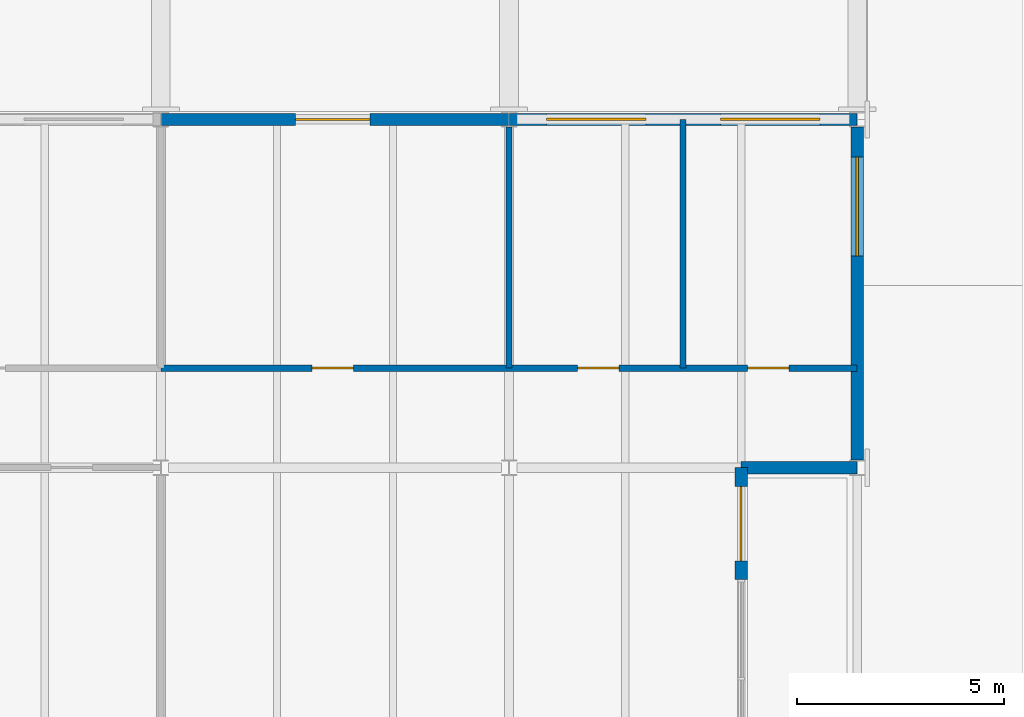
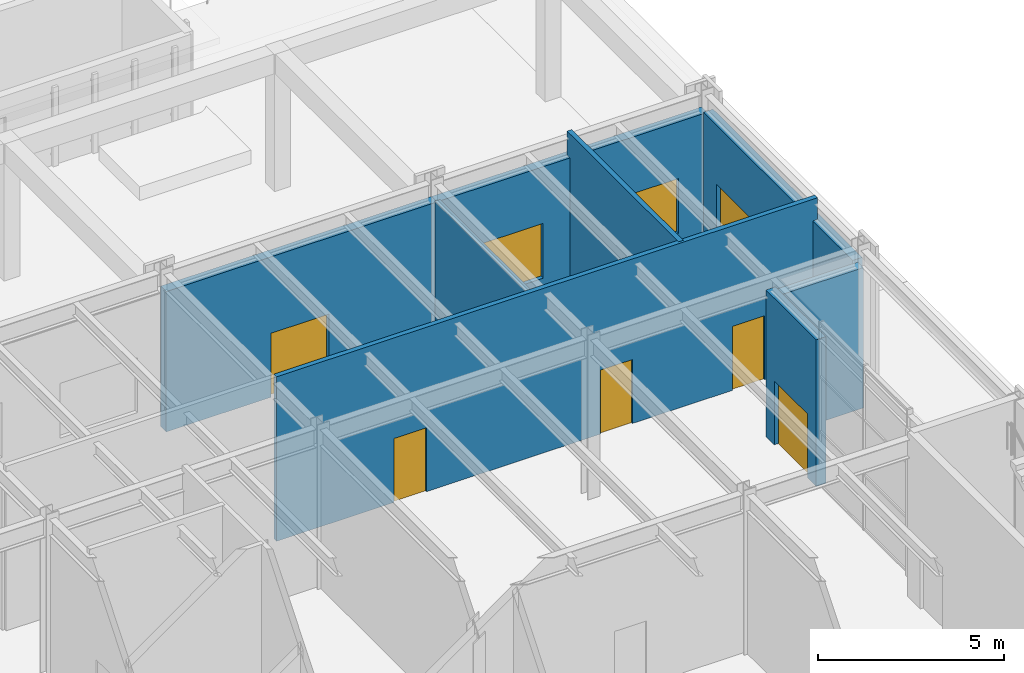
# One storey, part 72 of 127: 8 walls, 5 doors, 3 windows, 8 openings.
"""IFC4 building model written with IfcOpenShell, lengths in metres."""

from ifc_helpers import new_model, si_unit, direction, frame, frame_2d, origin, place, context, subcontext, project, spatial, rectangle, extrude, material, layer, layer_set, type_object, element, fill, save


model = new_model("IFC4")

# Units and contexts
model_context = context("Model", 3, precision=1e-05, world=origin(), true_north=direction((0.0, 1.0)))
body_context = subcontext(model_context, "Body", "Model", "MODEL_VIEW")
ifc_project = project(units=[si_unit("LENGTHUNIT", "METRE"), si_unit("AREAUNIT", "SQUARE_METRE"), si_unit("VOLUMEUNIT", "CUBIC_METRE"), si_unit("PLANEANGLEUNIT", "RADIAN"), si_unit("MASSUNIT", "GRAM", prefix="KILO")], contexts=[model_context])

# Site, building, storey
site_placement = place(None, origin())
site = spatial("IfcSite", under=ifc_project, at=site_placement, CompositionType="ELEMENT")
building_placement = place(site_placement, origin())
building = spatial("IfcBuilding", under=site, at=building_placement, Name="Ljudholm Concert House", CompositionType="ELEMENT")
storey_placement = place(building_placement, origin())
storey = spatial("IfcBuildingStorey", under=building, at=storey_placement, Name="L00", CompositionType="ELEMENT", Elevation=0.0)

# Walls
ifc_material_1 = material(Name="Gypsum board on steel studs", Category="steel")
ifc_layer_1 = layer(ifc_material_1, 0.14990234375)
ifc_layer_set_1 = layer_set([ifc_layer_1], Name="Gypsum board on steel studs")
wall_type_1 = type_object("IfcWallType", Name="GYPSUM PARTITION 150", PredefinedType="PARTITIONING", material=ifc_layer_set_1)
wall_1_placement = place(storey_placement, frame((113.199951171875, 124.0, 0.0), z_axis=(0.0, 0.0, 1.0), x_axis=(0.0, 1.0, 0.0)))
element("IfcWall", 1, at=wall_1_placement, inside=storey, type_object=wall_type_1, Name="Partition", PredefinedType="PARTITIONING", context=body_context, shape_type="SweptSolid", body=[
    extrude(rectangle(XDim=5.813232421875, YDim=0.14990234375, at=frame_2d((2.90673828125, 0.0))), origin(), (0.0, 0.0, 1.0), 4.6865234375),
])
wall_2_placement = place(storey_placement, frame((117.39990234375, 124.0, 0.0), z_axis=(0.0, 0.0, 1.0), x_axis=(0.0, 1.0, 0.0)))
element("IfcWall", 2, at=wall_2_placement, inside=storey, type_object=wall_type_1, Name="Partition", PredefinedType="PARTITIONING", context=body_context, shape_type="SweptSolid", body=[
    extrude(rectangle(XDim=6.0, YDim=0.14990234375, at=frame_2d((3.0, 0.0))), origin(), (0.0, 0.0, 1.0), 5.39990234375),
])

# Wall, openings, doors
wall_3_placement = place(storey_placement, frame((104.800048828125, 124.0, 0.0), z_axis=(0.0, 0.0, 1.0), x_axis=(1.0, 0.0, 0.0)))
wall_3 = element("IfcWall", 3, at=wall_3_placement, inside=storey, type_object=wall_type_1, Name="Partition", PredefinedType="PARTITIONING", context=body_context, shape_type="SweptSolid", body=[
    extrude(rectangle(XDim=16.800048828125, YDim=0.14990234375, at=frame_2d((8.39990234375, 0.0))), origin(), (0.0, 0.0, 1.0), 5.39990234375),
])
opening_1_placement = place(wall_3_placement, frame((3.64990234375, 0.0, 0.0)))
opening_1 = element("IfcOpeningElement", 4, at=opening_1_placement, cuts=wall_3, Name="Opening D-R00-033", PredefinedType="OPENING", context=body_context, shape_type="SweptSolid", body=[
    extrude(rectangle(XDim=1.0, YDim=2.10009765625, at=frame_2d((0.5, 1.050048828125))), frame((0.0, 0.0849609375, 0.0), z_axis=(0.0, -1.0, 0.0), x_axis=(1.0, 0.0, 0.0)), (0.0, 0.0, 1.0), 0.169921875),
])
opening_2_placement = place(wall_3_placement, frame((10.050048828125, 0.0, 0.0)))
opening_2 = element("IfcOpeningElement", 5, at=opening_2_placement, cuts=wall_3, Name="Opening D-R00-034", PredefinedType="OPENING", context=body_context, shape_type="SweptSolid", body=[
    extrude(rectangle(XDim=1.0, YDim=2.10009765625, at=frame_2d((0.5, 1.050048828125))), frame((0.0, 0.0849609375, 0.0), z_axis=(0.0, -1.0, 0.0), x_axis=(1.0, 0.0, 0.0)), (0.0, 0.0, 1.0), 0.169921875),
])
opening_3_placement = place(wall_3_placement, frame((14.14990234375, 0.0, 0.0)))
opening_3 = element("IfcOpeningElement", 6, at=opening_3_placement, cuts=wall_3, Name="Opening D-R00-035", PredefinedType="OPENING", context=body_context, shape_type="SweptSolid", body=[
    extrude(rectangle(XDim=1.0, YDim=2.10009765625, at=frame_2d((0.5, 1.050048828125))), frame((0.0, 0.0849609375, 0.0), z_axis=(0.0, -1.0, 0.0), x_axis=(1.0, 0.0, 0.0)), (0.0, 0.0, 1.0), 0.169921875),
])
ifc_material_2 = material(Name="Hollow metal door in steel frame", Category="steel")
door_type_1 = type_object("IfcDoorType", Name="SWING DOOR 1000x2100", OperationType="SINGLE_SWING_LEFT", PredefinedType="DOOR", material=ifc_material_2)
door_1_placement = place(opening_1_placement, origin())
door_1 = element("IfcDoor", 7, at=door_1_placement, inside=storey, type_object=door_type_1, Name="Door", OperationType="SINGLE_SWING_RIGHT", OverallHeight=2.10009765625, OverallWidth=1.0, PredefinedType="DOOR", context=body_context, shape_type="SweptSolid", body=[
    extrude(rectangle(XDim=1.0, YDim=2.10009765625, at=frame_2d((0.5, 1.050048828125))), frame((0.0, 0.02490234375, 0.0), z_axis=(0.0, -1.0, 0.0), x_axis=(1.0, 0.0, 0.0)), (0.0, 0.0, 1.0), 0.050048828125),
])
fill(opening_1, door_1)
door_2_placement = place(opening_2_placement, origin())
door_2 = element("IfcDoor", 8, at=door_2_placement, inside=storey, type_object=door_type_1, Name="Door", OperationType="SINGLE_SWING_RIGHT", OverallHeight=2.10009765625, OverallWidth=1.0, PredefinedType="DOOR", context=body_context, shape_type="SweptSolid", body=[
    extrude(rectangle(XDim=1.0, YDim=2.10009765625, at=frame_2d((0.5, 1.050048828125))), frame((0.0, 0.02490234375, 0.0), z_axis=(0.0, -1.0, 0.0), x_axis=(1.0, 0.0, 0.0)), (0.0, 0.0, 1.0), 0.050048828125),
])
fill(opening_2, door_2)
door_3_placement = place(opening_3_placement, origin())
door_3 = element("IfcDoor", 9, at=door_3_placement, inside=storey, type_object=door_type_1, Name="Door", OperationType="SINGLE_SWING_RIGHT", OverallHeight=2.10009765625, OverallWidth=1.0, PredefinedType="DOOR", context=body_context, shape_type="SweptSolid", body=[
    extrude(rectangle(XDim=1.0, YDim=2.10009765625, at=frame_2d((0.5, 1.050048828125))), frame((0.0, 0.02490234375, 0.0), z_axis=(0.0, -1.0, 0.0), x_axis=(1.0, 0.0, 0.0)), (0.0, 0.0, 1.0), 0.050048828125),
])
fill(opening_3, door_3)

# Wall, opening, door
ifc_material_3 = material(Name="Precast concrete 5,000 psi", Category="concrete")
ifc_layer_2 = layer(ifc_material_3, 0.300048828125)
ifc_layer_set_2 = layer_set([ifc_layer_2], Name="Precast concrete 5,000 psi")
wall_type_2 = type_object("IfcWallType", Name="PRECAST PANEL WALL 300", PredefinedType="SOLIDWALL", material=ifc_layer_set_2)
wall_4_placement = place(storey_placement, frame((118.800048828125, 118.89990234375, 0.0), z_axis=(0.0, 0.0, 1.0), x_axis=(0.0, 1.0, 0.0)))
wall_4 = element("IfcWall", 10, at=wall_4_placement, inside=storey, type_object=wall_type_2, Name="Entrance wall", PredefinedType="SOLIDWALL", context=body_context, shape_type="SweptSolid", body=[
    extrude(rectangle(XDim=2.7001953125, YDim=0.300048828125, at=frame_2d((1.35009765625, 0.0))), origin(), (0.0, 0.0, 1.0), 4.813720703125),
])
opening_4_placement = place(wall_4_placement, frame((0.449951171875, 0.0, 0.0)))
opening_4 = element("IfcOpeningElement", 11, at=opening_4_placement, cuts=wall_4, Name="Opening D-R00-010", PredefinedType="OPENING", context=body_context, shape_type="SweptSolid", body=[
    extrude(rectangle(XDim=1.800048828125, YDim=2.10009765625, at=frame_2d((0.89990234375, 1.050048828125))), frame((0.0, 0.159912109375, 0.0), z_axis=(0.0, -1.0, 0.0), x_axis=(1.0, 0.0, 0.0)), (0.0, 0.0, 1.0), 0.320068359375),
])
ifc_material_4 = material(Name="Hollow metal door in steel frame", Category="steel")
door_type_2 = type_object("IfcDoorType", Name="DOUBLE DOOR 1800x2100 EXTERNAL", OperationType="DOUBLE_DOOR_SINGLE_SWING", PredefinedType="DOOR", material=ifc_material_4)
door_4_placement = place(opening_4_placement, frame((1.800048828125, 0.0, 0.0), z_axis=(0.0, 0.0, 1.0), x_axis=(-1.0, 0.0, 0.0)))
door_4 = element("IfcDoor", 12, at=door_4_placement, inside=storey, type_object=door_type_2, Name="Entrance door", OperationType="DOUBLE_DOOR_SINGLE_SWING", OverallHeight=2.10009765625, OverallWidth=1.800048828125, PredefinedType="DOOR", context=body_context, shape_type="SweptSolid", body=[
    extrude(rectangle(XDim=1.800048828125, YDim=2.10009765625, at=frame_2d((0.89990234375, 1.050048828125))), frame((0.0, 0.02490234375, 0.0), z_axis=(0.0, -1.0, 0.0), x_axis=(1.0, 0.0, 0.0)), (0.0, 0.0, 1.0), 0.050048828125),
])
fill(opening_4, door_4)

# Wall, opening, window
wall_5_placement = place(storey_placement, frame((121.60009765625, 121.78662109375, 0.0), z_axis=(0.0, 0.0, 1.0), x_axis=(0.0, 1.0, 0.0)))
wall_5 = element("IfcWall", 13, at=wall_5_placement, inside=storey, type_object=wall_type_2, Name="Facade wall", PredefinedType="SOLIDWALL", context=body_context, shape_type="SweptSolid", body=[
    extrude(rectangle(XDim=8.026611328125, YDim=0.300048828125, at=frame_2d((4.01318359375, 0.0))), origin(), (0.0, 0.0, 1.0), 4.6865234375),
])
opening_5_placement = place(wall_5_placement, frame((4.913330078125, 0.0, 0.949951171875)))
opening_5 = element("IfcOpeningElement", 14, at=opening_5_placement, cuts=wall_5, Name="Opening X-R00-011", PredefinedType="OPENING", context=body_context, shape_type="SweptSolid", body=[
    extrude(rectangle(XDim=2.39990234375, YDim=1.800048828125, at=frame_2d((1.199951171875, 0.89990234375))), frame((0.0, 0.159912109375, 0.0), z_axis=(0.0, -1.0, 0.0), x_axis=(1.0, 0.0, 0.0)), (0.0, 0.0, 1.0), 0.320068359375),
])
ifc_material_5 = material(Name="Aluminium frame, impact glazing", Category="aluminium")
window_type = type_object("IfcWindowType", Name="CASEMENT WINDOW 2400x1800", PartitioningType="DOUBLE_PANEL_VERTICAL", PredefinedType="WINDOW", material=ifc_material_5)
window_1_placement = place(opening_5_placement, origin())
window_1 = element("IfcWindow", 15, at=window_1_placement, inside=storey, type_object=window_type, Name="Window", OverallHeight=1.800048828125, OverallWidth=2.39990234375, PartitioningType="DOUBLE_PANEL_VERTICAL", PredefinedType="WINDOW", context=body_context, shape_type="SweptSolid", body=[
    extrude(rectangle(XDim=2.39990234375, YDim=1.800048828125, at=frame_2d((1.199951171875, 0.89990234375))), frame((0.0, 0.030029296875, 0.0), z_axis=(0.0, -1.0, 0.0), x_axis=(1.0, 0.0, 0.0)), (0.0, 0.0, 1.0), 0.06005859375),
])
fill(opening_5, window_1)

# Wall
wall_6_placement = place(storey_placement, frame((118.800048828125, 121.60009765625, 0.0), z_axis=(0.0, 0.0, 1.0), x_axis=(1.0, 0.0, 0.0)))
element("IfcWall", 16, at=wall_6_placement, inside=storey, type_object=wall_type_2, Name="Porch side wall", PredefinedType="SOLIDWALL", context=body_context, shape_type="SweptSolid", body=[
    extrude(rectangle(XDim=2.791748046875, YDim=0.300048828125, at=frame_2d((1.39599609375, 0.0))), origin(), (0.0, 0.0, 1.0), 4.60791015625),
])

# Wall, opening, door
wall_7_placement = place(storey_placement, frame((104.791748046875, 130.0, 0.0), z_axis=(0.0, 0.0, 1.0), x_axis=(1.0, 0.0, 0.0)))
wall_7 = element("IfcWall", 17, at=wall_7_placement, inside=storey, type_object=wall_type_2, Name="Facade wall", PredefinedType="SOLIDWALL", context=body_context, shape_type="SweptSolid", body=[
    extrude(rectangle(XDim=8.41650390625, YDim=0.300048828125, at=frame_2d((4.208251953125, 0.0))), origin(), (0.0, 0.0, 1.0), 4.60791015625),
])
opening_6_placement = place(wall_7_placement, frame((3.25830078125, 0.0, 0.0)))
opening_6 = element("IfcOpeningElement", 18, at=opening_6_placement, cuts=wall_7, Name="Opening D-R00-009", PredefinedType="OPENING", context=body_context, shape_type="SweptSolid", body=[
    extrude(rectangle(XDim=1.800048828125, YDim=2.10009765625, at=frame_2d((0.89990234375, 1.050048828125))), frame((0.0, 0.159912109375, 0.0), z_axis=(0.0, -1.0, 0.0), x_axis=(1.0, 0.0, 0.0)), (0.0, 0.0, 1.0), 0.320068359375),
])
door_5_placement = place(opening_6_placement, origin())
door_5 = element("IfcDoor", 19, at=door_5_placement, inside=storey, type_object=door_type_2, Name="Service door", OperationType="DOUBLE_DOOR_SINGLE_SWING", OverallHeight=2.10009765625, OverallWidth=1.800048828125, PredefinedType="DOOR", context=body_context, shape_type="SweptSolid", body=[
    extrude(rectangle(XDim=1.800048828125, YDim=2.10009765625, at=frame_2d((0.89990234375, 1.050048828125))), frame((0.0, 0.02490234375, 0.0), z_axis=(0.0, -1.0, 0.0), x_axis=(1.0, 0.0, 0.0)), (0.0, 0.0, 1.0), 0.050048828125),
])
fill(opening_6, door_5)

# Wall, openings, windows
wall_8_placement = place(storey_placement, frame((113.19189453125, 130.0, 0.0), z_axis=(0.0, 0.0, 1.0), x_axis=(1.0, 0.0, 0.0)))
wall_8 = element("IfcWall", 20, at=wall_8_placement, inside=storey, type_object=wall_type_2, Name="Facade wall", PredefinedType="SOLIDWALL", context=body_context, shape_type="SweptSolid", body=[
    extrude(rectangle(XDim=8.39990234375, YDim=0.300048828125, at=frame_2d((4.199951171875, 0.0))), origin(), (0.0, 0.0, 1.0), 4.60791015625),
])
opening_7_placement = place(wall_8_placement, frame((0.908203125, 0.0, 0.949951171875)))
opening_7 = element("IfcOpeningElement", 21, at=opening_7_placement, cuts=wall_8, Name="Opening X-R00-010", PredefinedType="OPENING", context=body_context, shape_type="SweptSolid", body=[
    extrude(rectangle(XDim=2.39990234375, YDim=1.800048828125, at=frame_2d((1.199951171875, 0.89990234375))), frame((0.0, 0.159912109375, 0.0), z_axis=(0.0, -1.0, 0.0), x_axis=(1.0, 0.0, 0.0)), (0.0, 0.0, 1.0), 0.320068359375),
])
opening_8_placement = place(wall_8_placement, frame((5.108154296875, 0.0, 0.949951171875)))
opening_8 = element("IfcOpeningElement", 22, at=opening_8_placement, cuts=wall_8, Name="Opening X-R00-012", PredefinedType="OPENING", context=body_context, shape_type="SweptSolid", body=[
    extrude(rectangle(XDim=2.39990234375, YDim=1.800048828125, at=frame_2d((1.199951171875, 0.89990234375))), frame((0.0, 0.159912109375, 0.0), z_axis=(0.0, -1.0, 0.0), x_axis=(1.0, 0.0, 0.0)), (0.0, 0.0, 1.0), 0.320068359375),
])
window_2_placement = place(opening_7_placement, origin())
window_2 = element("IfcWindow", 23, at=window_2_placement, inside=storey, type_object=window_type, Name="Window", OverallHeight=1.800048828125, OverallWidth=2.39990234375, PartitioningType="DOUBLE_PANEL_VERTICAL", PredefinedType="WINDOW", context=body_context, shape_type="SweptSolid", body=[
    extrude(rectangle(XDim=2.39990234375, YDim=1.800048828125, at=frame_2d((1.199951171875, 0.89990234375))), frame((0.0, 0.030029296875, 0.0), z_axis=(0.0, -1.0, 0.0), x_axis=(1.0, 0.0, 0.0)), (0.0, 0.0, 1.0), 0.06005859375),
])
fill(opening_7, window_2)
window_3_placement = place(opening_8_placement, origin())
window_3 = element("IfcWindow", 24, at=window_3_placement, inside=storey, type_object=window_type, Name="Window", OverallHeight=1.800048828125, OverallWidth=2.39990234375, PartitioningType="DOUBLE_PANEL_VERTICAL", PredefinedType="WINDOW", context=body_context, shape_type="SweptSolid", body=[
    extrude(rectangle(XDim=2.39990234375, YDim=1.800048828125, at=frame_2d((1.199951171875, 0.89990234375))), frame((0.0, 0.030029296875, 0.0), z_axis=(0.0, -1.0, 0.0), x_axis=(1.0, 0.0, 0.0)), (0.0, 0.0, 1.0), 0.06005859375),
])
fill(opening_8, window_3)

save(model, "model.ifc")
